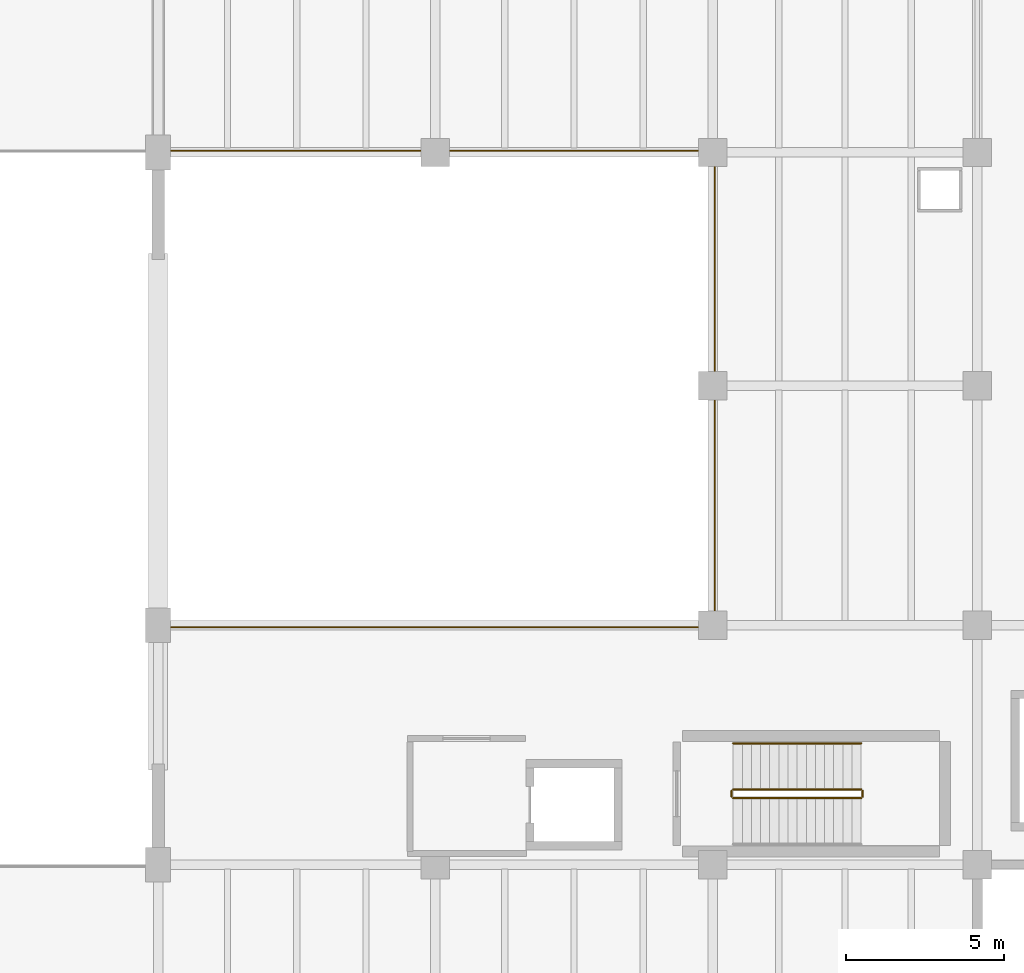
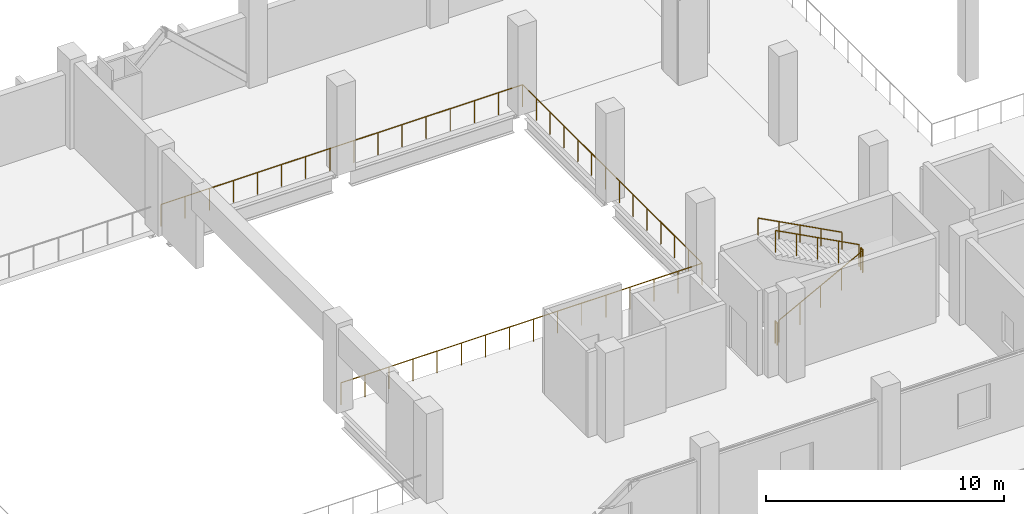
# One storey, part 168 of 172: 6 railings.
"""IFC4 building model written with IfcOpenShell, lengths in metres."""

from ifc_helpers import new_model, si_unit, direction, frame, origin, origin_2d, place, context, subcontext, project, spatial, circle, extrude, material, type_object, element, save


model = new_model("IFC4")

# Units and contexts
model_context = context("Model", 3, precision=1e-05, world=origin(), true_north=direction((0.0, 1.0)))
body_context = subcontext(model_context, "Body", "Model", "MODEL_VIEW")
ifc_project = project(units=[si_unit("LENGTHUNIT", "METRE"), si_unit("AREAUNIT", "SQUARE_METRE"), si_unit("VOLUMEUNIT", "CUBIC_METRE"), si_unit("PLANEANGLEUNIT", "RADIAN"), si_unit("MASSUNIT", "GRAM", prefix="KILO")], contexts=[model_context])

# Site, building, storey
site_placement = place(None, origin())
site = spatial("IfcSite", under=ifc_project, at=site_placement, CompositionType="ELEMENT")
building_placement = place(site_placement, origin())
building = spatial("IfcBuilding", under=site, at=building_placement, Name="Shengluoqiao Park Theatre", CompositionType="ELEMENT")
storey_placement = place(building_placement, frame((0.0, 0.0, 5.39990234375)))
storey = spatial("IfcBuildingStorey", under=building, at=storey_placement, Name="L01", CompositionType="ELEMENT", Elevation=5.39990234375)

# Railings
ifc_material_1 = material(Name="Steel Q355", Category="steel")
railing_type_1 = type_object("IfcRailingType", Name="INT-RL-FLY115", PredefinedType="GUARDRAIL", material=ifc_material_1)
railing_1_placement = place(storey_placement, frame((86.5, 91.5400390625, 0.0)))
element("IfcRailing", 1, at=railing_1_placement, inside=storey, type_object=railing_type_1, Name="L01 Stage Fly Gallery Inner Safety Rail 0027", PredefinedType="GUARDRAIL", context=body_context, shape_type="SweptSolid", body=[
    extrude(circle(Radius=0.02392578125, at=origin_2d()), frame((0.0, 0.0, 1.1259765625), z_axis=(1.0, 0.0, 0.0), x_axis=(0.0, 1.0, 0.0)), (0.0, 0.0, 1.0), 17.56005859375),
    extrude(circle(Radius=0.02392578125, at=origin_2d()), frame((17.56005859375, 0.0, 1.1259765625), z_axis=(0.0, 1.0, 0.0), x_axis=(-1.0, 0.0, 0.0)), (0.0, 0.0, 1.0), 15.119873046875),
    extrude(circle(Radius=0.02392578125, at=origin_2d()), frame((17.56005859375, 15.119873046875, 1.1259765625), z_axis=(-1.0, 0.0, 0.0), x_axis=(0.0, -1.0, 0.0)), (0.0, 0.0, 1.0), 17.56005859375),
    extrude(circle(Radius=0.02099609375, at=origin_2d()), origin(), (0.0, 0.0, 1.0), 1.101806640625),
    extrude(circle(Radius=0.02099609375, at=origin_2d()), frame((1.170654296875, 0.0, 0.0)), (0.0, 0.0, 1.0), 1.101806640625),
    extrude(circle(Radius=0.02099609375, at=origin_2d()), frame((2.34130859375, 0.0, 0.0)), (0.0, 0.0, 1.0), 1.101806640625),
    extrude(circle(Radius=0.02099609375, at=origin_2d()), frame((3.511962890625, 0.0, 0.0)), (0.0, 0.0, 1.0), 1.101806640625),
    extrude(circle(Radius=0.02099609375, at=origin_2d()), frame((4.6826171875, 0.0, 0.0)), (0.0, 0.0, 1.0), 1.101806640625),
    extrude(circle(Radius=0.02099609375, at=origin_2d()), frame((5.853271484375, 0.0, 0.0)), (0.0, 0.0, 1.0), 1.101806640625),
    extrude(circle(Radius=0.02099609375, at=origin_2d()), frame((7.02392578125, 0.0, 0.0)), (0.0, 0.0, 1.0), 1.101806640625),
    extrude(circle(Radius=0.02099609375, at=origin_2d()), frame((8.194580078125, 0.0, 0.0)), (0.0, 0.0, 1.0), 1.101806640625),
    extrude(circle(Radius=0.02099609375, at=origin_2d()), frame((9.365478515625, 0.0, 0.0)), (0.0, 0.0, 1.0), 1.101806640625),
    extrude(circle(Radius=0.02099609375, at=origin_2d()), frame((10.5361328125, 0.0, 0.0)), (0.0, 0.0, 1.0), 1.101806640625),
    extrude(circle(Radius=0.02099609375, at=origin_2d()), frame((11.706787109375, 0.0, 0.0)), (0.0, 0.0, 1.0), 1.101806640625),
    extrude(circle(Radius=0.02099609375, at=origin_2d()), frame((12.87744140625, 0.0, 0.0)), (0.0, 0.0, 1.0), 1.101806640625),
    extrude(circle(Radius=0.02099609375, at=origin_2d()), frame((14.048095703125, 0.0, 0.0)), (0.0, 0.0, 1.0), 1.101806640625),
    extrude(circle(Radius=0.02099609375, at=origin_2d()), frame((15.21875, 0.0, 0.0)), (0.0, 0.0, 1.0), 1.101806640625),
    extrude(circle(Radius=0.02099609375, at=origin_2d()), frame((16.389404296875, 0.0, 0.0)), (0.0, 0.0, 1.0), 1.101806640625),
    extrude(circle(Radius=0.02099609375, at=origin_2d()), frame((17.56005859375, 0.0, 0.0)), (0.0, 0.0, 1.0), 1.101806640625),
    extrude(circle(Radius=0.02099609375, at=origin_2d()), frame((17.56005859375, 1.1630859375, 0.0)), (0.0, 0.0, 1.0), 1.101806640625),
    extrude(circle(Radius=0.02099609375, at=origin_2d()), frame((17.56005859375, 2.326171875, 0.0)), (0.0, 0.0, 1.0), 1.101806640625),
    extrude(circle(Radius=0.02099609375, at=origin_2d()), frame((17.56005859375, 3.4892578125, 0.0)), (0.0, 0.0, 1.0), 1.101806640625),
    extrude(circle(Radius=0.02099609375, at=origin_2d()), frame((17.56005859375, 4.65234375, 0.0)), (0.0, 0.0, 1.0), 1.101806640625),
    extrude(circle(Radius=0.02099609375, at=origin_2d()), frame((17.56005859375, 5.8154296875, 0.0)), (0.0, 0.0, 1.0), 1.101806640625),
    extrude(circle(Radius=0.02099609375, at=origin_2d()), frame((17.56005859375, 6.978515625, 0.0)), (0.0, 0.0, 1.0), 1.101806640625),
    extrude(circle(Radius=0.02099609375, at=origin_2d()), frame((17.56005859375, 8.141357421875, 0.0)), (0.0, 0.0, 1.0), 1.101806640625),
    extrude(circle(Radius=0.02099609375, at=origin_2d()), frame((17.56005859375, 9.304443359375, 0.0)), (0.0, 0.0, 1.0), 1.101806640625),
    extrude(circle(Radius=0.02099609375, at=origin_2d()), frame((17.56005859375, 10.467529296875, 0.0)), (0.0, 0.0, 1.0), 1.101806640625),
    extrude(circle(Radius=0.02099609375, at=origin_2d()), frame((17.56005859375, 11.630615234375, 0.0)), (0.0, 0.0, 1.0), 1.101806640625),
    extrude(circle(Radius=0.02099609375, at=origin_2d()), frame((17.56005859375, 12.793701171875, 0.0)), (0.0, 0.0, 1.0), 1.101806640625),
    extrude(circle(Radius=0.02099609375, at=origin_2d()), frame((17.56005859375, 13.956787109375, 0.0)), (0.0, 0.0, 1.0), 1.101806640625),
    extrude(circle(Radius=0.02099609375, at=origin_2d()), frame((17.56005859375, 15.119873046875, 0.0)), (0.0, 0.0, 1.0), 1.101806640625),
    extrude(circle(Radius=0.02099609375, at=origin_2d()), frame((16.389404296875, 15.119873046875, 0.0)), (0.0, 0.0, 1.0), 1.101806640625),
    extrude(circle(Radius=0.02099609375, at=origin_2d()), frame((15.21875, 15.119873046875, 0.0)), (0.0, 0.0, 1.0), 1.101806640625),
    extrude(circle(Radius=0.02099609375, at=origin_2d()), frame((14.048095703125, 15.119873046875, 0.0)), (0.0, 0.0, 1.0), 1.101806640625),
    extrude(circle(Radius=0.02099609375, at=origin_2d()), frame((12.87744140625, 15.119873046875, 0.0)), (0.0, 0.0, 1.0), 1.101806640625),
    extrude(circle(Radius=0.02099609375, at=origin_2d()), frame((11.706787109375, 15.119873046875, 0.0)), (0.0, 0.0, 1.0), 1.101806640625),
    extrude(circle(Radius=0.02099609375, at=origin_2d()), frame((10.5361328125, 15.119873046875, 0.0)), (0.0, 0.0, 1.0), 1.101806640625),
    extrude(circle(Radius=0.02099609375, at=origin_2d()), frame((9.365478515625, 15.119873046875, 0.0)), (0.0, 0.0, 1.0), 1.101806640625),
    extrude(circle(Radius=0.02099609375, at=origin_2d()), frame((8.194580078125, 15.119873046875, 0.0)), (0.0, 0.0, 1.0), 1.101806640625),
    extrude(circle(Radius=0.02099609375, at=origin_2d()), frame((7.02392578125, 15.119873046875, 0.0)), (0.0, 0.0, 1.0), 1.101806640625),
    extrude(circle(Radius=0.02099609375, at=origin_2d()), frame((5.853271484375, 15.119873046875, 0.0)), (0.0, 0.0, 1.0), 1.101806640625),
    extrude(circle(Radius=0.02099609375, at=origin_2d()), frame((4.6826171875, 15.119873046875, 0.0)), (0.0, 0.0, 1.0), 1.101806640625),
    extrude(circle(Radius=0.02099609375, at=origin_2d()), frame((3.511962890625, 15.119873046875, 0.0)), (0.0, 0.0, 1.0), 1.101806640625),
    extrude(circle(Radius=0.02099609375, at=origin_2d()), frame((2.34130859375, 15.119873046875, 0.0)), (0.0, 0.0, 1.0), 1.101806640625),
    extrude(circle(Radius=0.02099609375, at=origin_2d()), frame((1.170654296875, 15.119873046875, 0.0)), (0.0, 0.0, 1.0), 1.101806640625),
    extrude(circle(Radius=0.02099609375, at=origin_2d()), frame((0.0, 15.119873046875, 0.0)), (0.0, 0.0, 1.0), 1.101806640625),
])
ifc_material_2 = material(Name="Painted steel", Category="steel")
railing_type_2 = type_object("IfcRailingType", Name="INT-RL-STGRD", PredefinedType="GUARDRAIL", material=ifc_material_2)
railing_2_placement = place(storey_placement, frame((104.64990234375, 86.110107421875, 0.1533203125)))
element("IfcRailing", 2, at=railing_2_placement, inside=storey, type_object=railing_type_2, Name="L01 ST-05 stair guard 1", PredefinedType="GUARDRAIL", context=body_context, shape_type="SweptSolid", body=[
    extrude(circle(Radius=0.02392578125, at=origin_2d()), frame((0.0, 0.0, 1.1259765625), z_axis=(0.884032182968, 0.0, 0.46742603637), x_axis=(0.0, 1.0, 0.0)), (0.0, 0.0, 1.0), 4.5927734375),
    extrude(circle(Radius=0.02099609375, at=origin_2d()), origin(), (0.0, 0.0, 1.0), 1.101806640625),
    extrude(circle(Radius=0.02099609375, at=origin_2d()), frame((1.01513671875, 0.0, 0.53662109375)), (0.0, 0.0, 1.0), 1.101806640625),
    extrude(circle(Radius=0.02099609375, at=origin_2d()), frame((2.030029296875, 0.0, 1.0732421875)), (0.0, 0.0, 1.0), 1.101806640625),
    extrude(circle(Radius=0.02099609375, at=origin_2d()), frame((3.044921875, 0.0, 1.610107421875)), (0.0, 0.0, 1.0), 1.101806640625),
    extrude(circle(Radius=0.02099609375, at=origin_2d()), frame((4.06005859375, 0.0, 2.146728515625)), (0.0, 0.0, 1.0), 1.101806640625),
])
railing_3_placement = place(storey_placement, frame((108.760009765625, 86.159912109375, 2.300048828125)))
element("IfcRailing", 3, at=railing_3_placement, inside=storey, type_object=railing_type_2, Name="L01 ST-05 stair guard 2", PredefinedType="GUARDRAIL", context=body_context, shape_type="SweptSolid", body=[
    extrude(circle(Radius=0.02392578125, at=origin_2d()), frame((0.0, 0.0, 1.1259765625), z_axis=(0.0, 1.0, 0.0), x_axis=(-1.0, 0.0, 0.0)), (0.0, 0.0, 1.0), 0.18017578125),
    extrude(circle(Radius=0.02099609375, at=origin_2d()), origin(), (0.0, 0.0, 1.0), 1.101806640625),
    extrude(circle(Radius=0.02099609375, at=origin_2d()), frame((0.0, 0.18017578125, 0.0)), (0.0, 0.0, 1.0), 1.101806640625),
])
railing_4_placement = place(storey_placement, frame((108.7099609375, 86.389892578125, 2.453369140625)))
element("IfcRailing", 4, at=railing_4_placement, inside=storey, type_object=railing_type_2, Name="L01 ST-05 stair guard 3", PredefinedType="GUARDRAIL", context=body_context, shape_type="SweptSolid", body=[
    extrude(circle(Radius=0.02392578125, at=origin_2d()), frame((0.0, 0.0, 1.1259765625), z_axis=(-0.884032182968, 0.0, 0.46742603637), x_axis=(0.0, -1.0, 0.0)), (0.0, 0.0, 1.0), 4.5927734375),
    extrude(circle(Radius=0.02099609375, at=origin_2d()), origin(), (0.0, 0.0, 1.0), 1.101806640625),
    extrude(circle(Radius=0.02099609375, at=origin_2d()), frame((-1.01513671875, 0.0, 0.53662109375)), (0.0, 0.0, 1.0), 1.101806640625),
    extrude(circle(Radius=0.02099609375, at=origin_2d()), frame((-2.030029296875, 0.0, 1.0732421875)), (0.0, 0.0, 1.0), 1.101806640625),
    extrude(circle(Radius=0.02099609375, at=origin_2d()), frame((-3.044921875, 0.0, 1.610107421875)), (0.0, 0.0, 1.0), 1.101806640625),
    extrude(circle(Radius=0.02099609375, at=origin_2d()), frame((-4.06005859375, 0.0, 2.146728515625)), (0.0, 0.0, 1.0), 1.101806640625),
])
railing_5_placement = place(storey_placement, frame((104.60009765625, 86.159912109375, 0.0)))
element("IfcRailing", 5, at=railing_5_placement, inside=storey, type_object=railing_type_2, Name="L01 ST-05 stair guard 4", PredefinedType="GUARDRAIL", context=body_context, shape_type="SweptSolid", body=[
    extrude(circle(Radius=0.02392578125, at=origin_2d()), frame((0.0, 0.0, 1.1259765625), z_axis=(0.0, 1.0, 0.0), x_axis=(-1.0, 0.0, 0.0)), (0.0, 0.0, 1.0), 0.18017578125),
    extrude(circle(Radius=0.02099609375, at=origin_2d()), origin(), (0.0, 0.0, 1.0), 1.101806640625),
    extrude(circle(Radius=0.02099609375, at=origin_2d()), frame((0.0, 0.18017578125, 0.0)), (0.0, 0.0, 1.0), 1.101806640625),
])
ifc_material_3 = material(Name="Stainless steel 304", Category="steel")
railing_type_3 = type_object("IfcRailingType", Name="INT-RL-STHR", PredefinedType="HANDRAIL", material=ifc_material_3)
railing_6_placement = place(storey_placement, frame((108.7099609375, 87.85009765625, 2.453369140625)))
element("IfcRailing", 6, at=railing_6_placement, inside=storey, type_object=railing_type_3, Name="L01 ST-05 stair handrail 2", PredefinedType="HANDRAIL", context=body_context, shape_type="SweptSolid", body=[
    extrude(circle(Radius=0.02392578125, at=origin_2d()), frame((0.0, 0.0, 0.8759765625), z_axis=(-0.884032182968, 0.0, 0.46742603637), x_axis=(0.0, -1.0, 0.0)), (0.0, 0.0, 1.0), 4.5927734375),
    extrude(circle(Radius=0.02099609375, at=origin_2d()), origin(), (0.0, 0.0, 1.0), 0.851806640625),
    extrude(circle(Radius=0.02099609375, at=origin_2d()), frame((-1.01513671875, 0.0, 0.53662109375)), (0.0, 0.0, 1.0), 0.851806640625),
    extrude(circle(Radius=0.02099609375, at=origin_2d()), frame((-2.030029296875, 0.0, 1.0732421875)), (0.0, 0.0, 1.0), 0.851806640625),
    extrude(circle(Radius=0.02099609375, at=origin_2d()), frame((-3.044921875, 0.0, 1.610107421875)), (0.0, 0.0, 1.0), 0.851806640625),
    extrude(circle(Radius=0.02099609375, at=origin_2d()), frame((-4.06005859375, 0.0, 2.146728515625)), (0.0, 0.0, 1.0), 0.851806640625),
])

save(model, "model.ifc")
